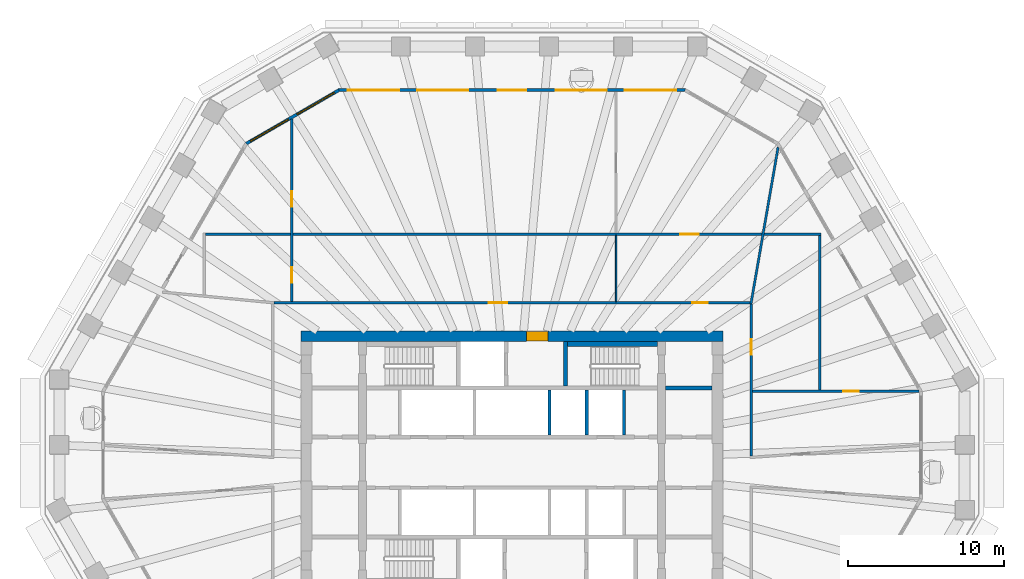
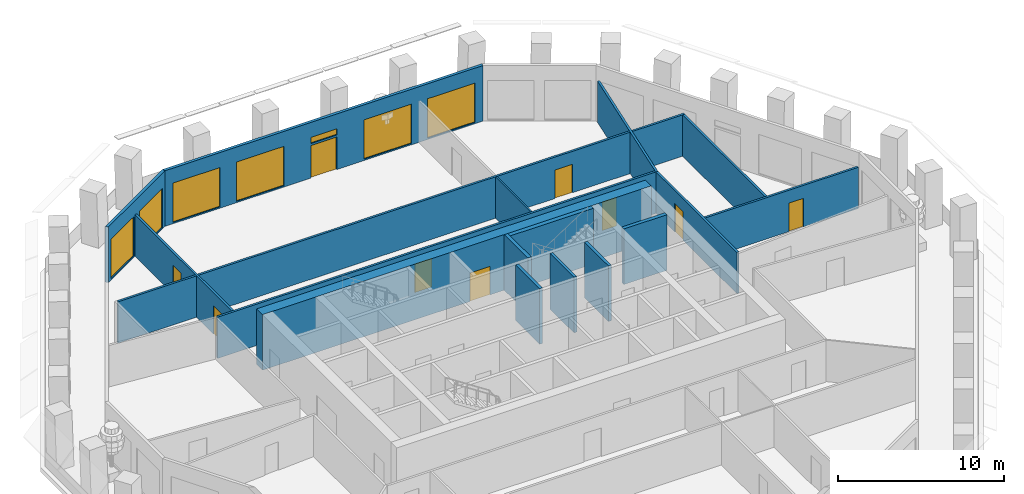
# One storey, part 7 of 12: 17 walls, 9 doors, 7 windows, 16 openings.
"""IFC4 building model written with IfcOpenShell, lengths in metres."""

import ifcopenshell
import ifcopenshell.guid

model = None  # the IFC model being written
_history = None  # IfcOwnerHistory: only IFC2X3 demands one
_inside = {}  # id of a spatial element -> (the spatial element, [elements in it])
_under = {}  # id of a project, library or spatial element -> (it, [spatial elements below it])
_declared = {}  # id of a project -> (the project, [libraries it declares])
_typed = {}  # id of a type object -> (the type object, [elements of that type])
_made_of = {}  # id of a material, layer set ... -> (it, [elements and type objects made of it])


def new_model(schema):
    """Start an empty IFC model of exactly this schema.

    Asked for "IFC4X3", IfcOpenShell would pick the latest addendum, in which some entities
    have other attributes; the version numbers below select the first issue.
    IFC2X3 requires an IfcOwnerHistory on every rooted entity: one is made here for all.
    """
    global model, _history
    if schema == "IFC4X3":
        model = ifcopenshell.file(schema_version=(4, 3, 0, 0))
    else:
        model = ifcopenshell.file(schema=schema)
    _inside.clear()
    _under.clear()
    _declared.clear()
    _typed.clear()
    _made_of.clear()
    _history = None
    if model.schema == "IFC2X3":
        org = make("IfcOrganization", Name="unknown")
        user = make(
            "IfcPersonAndOrganization",
            ThePerson=make("IfcPerson", FamilyName="unknown"),
            TheOrganization=org,
        )
        app = make(
            "IfcApplication",
            ApplicationDeveloper=org,
            Version="unknown",
            ApplicationFullName="unknown",
            ApplicationIdentifier="unknown",
        )
        _history = make(
            "IfcOwnerHistory",
            OwningUser=user,
            OwningApplication=app,
            ChangeAction="ADDED",
            CreationDate=0,
        )
    return model


def make(cls, **values):
    """One entity of the class cls with the attributes given. An attribute that is None is left unset."""
    return model.create_entity(
        cls, **{name: value for name, value in values.items() if value is not None}
    )


def rooted(cls, **values):
    """An entity with a GlobalId (a new one), such as an element, a storey or a relation."""
    return make(cls, GlobalId=ifcopenshell.guid.new(), OwnerHistory=_history, **values)


def si_unit(unit_type, name, prefix=None):
    """IfcSIUnit, for example si_unit("LENGTHUNIT", "METRE", prefix="MILLI")."""
    return make("IfcSIUnit", UnitType=unit_type, Prefix=prefix, Name=name)


def assignment(units):
    """IfcUnitAssignment: the units of a project."""
    return None if units is None else make("IfcUnitAssignment", Units=units)


def point(xyz):
    """IfcCartesianPoint."""
    return None if xyz is None else make("IfcCartesianPoint", Coordinates=xyz)


def direction(xyz):
    """IfcDirection."""
    return None if xyz is None else make("IfcDirection", DirectionRatios=xyz)


def frame(location, z_axis=None, x_axis=None):
    """IfcAxis2Placement3D, a coordinate frame: its origin and axes. An axis left out is left unset."""
    return make(
        "IfcAxis2Placement3D",
        Location=point(location),
        Axis=direction(z_axis),
        RefDirection=direction(x_axis),
    )


def frame_2d(location, x_axis=None):
    """IfcAxis2Placement2D, a coordinate frame in the plane: its origin and x axis."""
    return make(
        "IfcAxis2Placement2D", Location=point(location), RefDirection=direction(x_axis)
    )


def origin():
    """The frame at (0, 0, 0) with its axes left unset."""
    return frame((0.0, 0.0, 0.0))


def place(relative_to, where):
    """IfcLocalPlacement: puts the frame where relative to a parent placement (None: the world)."""
    return make(
        "IfcLocalPlacement", PlacementRelTo=relative_to, RelativePlacement=where
    )


def context(
    kind, dimensions, precision=None, world=None, true_north=None, identifier=None
):
    """IfcGeometricRepresentationContext, for example the 3D "Model" context."""
    return make(
        "IfcGeometricRepresentationContext",
        ContextIdentifier=identifier,
        ContextType=kind,
        CoordinateSpaceDimension=dimensions,
        Precision=precision,
        WorldCoordinateSystem=world,
        TrueNorth=true_north,
    )


def subcontext(parent, identifier, kind, view, scale=None):
    """IfcGeometricRepresentationSubContext, for example "Body" below "Model"."""
    return make(
        "IfcGeometricRepresentationSubContext",
        ContextIdentifier=identifier,
        ContextType=kind,
        ParentContext=parent,
        TargetScale=scale,
        TargetView=view,
    )


def project(units=None, contexts=None):
    """IfcProject with its units and contexts."""
    return rooted(
        "IfcProject",
        Name="project",
        RepresentationContexts=contexts,
        UnitsInContext=assignment(units),
    )


def spatial(cls, under=None, at=None, **own):
    """A site, building, storey or space (cls), placed at a placement, below another one or the project."""
    s = rooted(cls, ObjectPlacement=at, **own)
    if under is not None:
        _under.setdefault(under.id(), (under, []))[1].append(s)
    return s


def polyline(points):
    """IfcPolyline through the points."""
    return make("IfcPolyline", Points=[point(p) for p in points])


def profile(cls, at=None, kind="AREA", **sizes):
    """A parametric profile (cls). Its sizes go by their IFC names, for example OverallWidth=200.0."""
    return make(cls, ProfileType=kind, Position=at, **sizes)


def rectangle(**sizes):
    """IfcRectangleProfileDef."""
    return profile("IfcRectangleProfileDef", **sizes)


def outline(outer, holes=None, kind="AREA"):
    """IfcArbitraryClosedProfileDef: a profile drawn as a closed curve; with holes, ...WithVoids."""
    if holes is None:
        return make("IfcArbitraryClosedProfileDef", ProfileType=kind, OuterCurve=outer)
    return make(
        "IfcArbitraryProfileDefWithVoids",
        ProfileType=kind,
        OuterCurve=outer,
        InnerCurves=holes,
    )


def extrude(swept, where, along, depth):
    """IfcExtrudedAreaSolid: the profile swept, set in the frame where, extruded along a direction by depth."""
    return make(
        "IfcExtrudedAreaSolid",
        SweptArea=swept,
        Position=where,
        ExtrudedDirection=direction(along),
        Depth=depth,
    )


def shape(context_of_items, identifier, shape_type, items):
    """IfcShapeRepresentation: the items that make up one representation, for example the "Body"."""
    return make(
        "IfcShapeRepresentation",
        ContextOfItems=context_of_items,
        RepresentationIdentifier=identifier,
        RepresentationType=shape_type,
        Items=items,
    )


def material(Name=None, Category=None):
    """IfcMaterial."""
    return make("IfcMaterial", Name=Name, Category=Category)


def layer(
    of_material, thickness, ventilated=None, Name=None, Category=None, Priority=None
):
    """IfcMaterialLayer: one layer of a wall or slab, of a material (None: an air gap)."""
    return make(
        "IfcMaterialLayer",
        Material=of_material,
        LayerThickness=thickness,
        IsVentilated=ventilated,
        Name=Name,
        Category=Category,
        Priority=Priority,
    )


def layer_set(layers, Name=None):
    """IfcMaterialLayerSet."""
    return make("IfcMaterialLayerSet", MaterialLayers=layers, LayerSetName=Name)


def made_of(thing, what):
    """Note that an element or type object is made of a material, layer set ...; save() writes the relation."""
    if what is not None:
        _made_of.setdefault(what.id(), (what, []))[1].append(thing)
    return thing


def type_object(cls, material=None, **own):
    """A type object (cls), such as IfcWallType, which elements share."""
    return made_of(rooted(cls, **own), material)


def element(
    cls,
    number,
    at=None,
    inside=None,
    cuts=None,
    type_object=None,
    material=None,
    context=None,
    identifier="Body",
    shape_type=None,
    held_by="IfcProductDefinitionShape",
    body=None,
    shapes=None,
    **own,
):
    """One element of the class cls, such as IfcWall. Its Tag is "e" and its number.

    at: its placement. inside: the storey or other place that contains it. cuts: it is an
    opening in that element (IfcRelVoidsElement). A single representation is given by context,
    identifier, shape_type and body (its items); several are given by shapes. held_by: the class
    of the entity that holds the representations. save() writes the other relations.
    """
    e = rooted(cls, Tag="e%d" % number, ObjectPlacement=at, **own)
    if body is not None:
        shapes = [shape(context, identifier, shape_type, body)]
    if shapes is not None:
        e.Representation = make(held_by, Representations=shapes)
    if inside is not None:
        _inside.setdefault(inside.id(), (inside, []))[1].append(e)
    if cuts is not None:
        rooted(
            "IfcRelVoidsElement", RelatingBuildingElement=cuts, RelatedOpeningElement=e
        )
    if type_object is not None:
        _typed.setdefault(type_object.id(), (type_object, []))[1].append(e)
    return made_of(e, material)


def fill(opening, filler):
    """IfcRelFillsElement: the door or window that sits in an opening."""
    return rooted(
        "IfcRelFillsElement",
        RelatingOpeningElement=opening,
        RelatedBuildingElement=filler,
    )


def aggregate(whole, parts):
    """IfcRelAggregates: a whole, such as a stair, and the parts it consists of."""
    return rooted("IfcRelAggregates", RelatingObject=whole, RelatedObjects=parts)


def save(model, path):
    """Write the relations noted so far, then the file.

    IfcRelAggregates (storeys below a building ...), IfcRelContainedInSpatialStructure (elements
    in a storey), IfcRelDefinesByType, IfcRelAssociatesMaterial and IfcRelDeclares: one each for
    every whole, place, type object, material and project.
    """
    for whole, parts in _under.values():
        aggregate(whole, parts)
    for where, things in _inside.values():
        rooted(
            "IfcRelContainedInSpatialStructure",
            RelatedElements=things,
            RelatingStructure=where,
        )
    for kind, things in _typed.values():
        rooted("IfcRelDefinesByType", RelatedObjects=things, RelatingType=kind)
    for what, things in _made_of.values():
        rooted("IfcRelAssociatesMaterial", RelatedObjects=things, RelatingMaterial=what)
    for by, libraries in _declared.values():
        rooted("IfcRelDeclares", RelatingContext=by, RelatedDefinitions=libraries)
    model.write(path)


model = new_model("IFC4")

# Units and contexts
model_context = context("Model", 3, precision=1e-05, world=origin(), true_north=direction((0.0, 1.0)))
body_context = subcontext(model_context, "Body", "Model", "MODEL_VIEW")
ifc_project = project(units=[si_unit("LENGTHUNIT", "METRE"), si_unit("AREAUNIT", "SQUARE_METRE"), si_unit("VOLUMEUNIT", "CUBIC_METRE"), si_unit("PLANEANGLEUNIT", "RADIAN"), si_unit("MASSUNIT", "GRAM", prefix="KILO")], contexts=[model_context])

# Site, building, storey
site_placement = place(None, origin())
site = spatial("IfcSite", under=ifc_project, at=site_placement, CompositionType="ELEMENT")
building_placement = place(site_placement, origin())
building = spatial("IfcBuilding", under=site, at=building_placement, Name="Frailejon Research Tower", CompositionType="ELEMENT")
storey_placement = place(building_placement, frame((0.0, 0.0, 180.39990234375)))
storey = spatial("IfcBuildingStorey", under=building, at=storey_placement, Name="L39", CompositionType="ELEMENT", Elevation=180.39990234375)

# Wall, opening, door
ifc_material_1 = material(Name="Concrete C60/75", Category="concrete")
ifc_layer_1 = layer(ifc_material_1, 0.699951171875)
ifc_layer_set_1 = layer_set([ifc_layer_1], Name="Core shear wall 700 C60/75")
wall_type_1 = type_object("IfcWallType", Name="Core shear wall 700 C60/75", PredefinedType="SHEAR", material=ifc_layer_set_1)
wall_1_placement = place(storey_placement, frame((-13.550048828125, 8.10009765625, 0.0), z_axis=(0.0, 0.0, 1.0), x_axis=(1.0, 0.0, 0.0)))
wall_1 = element("IfcWall", 1, at=wall_1_placement, inside=storey, type_object=wall_type_1, Name="Core shear wall", PredefinedType="SHEAR", context=body_context, shape_type="SweptSolid", body=[
    extrude(rectangle(XDim=27.10009765625, YDim=0.699951171875, at=frame_2d((13.550048828125, 0.0))), origin(), (0.0, 0.0, 1.0), 4.10009765625),
])
opening_1_placement = place(wall_1_placement, frame((14.47509765625, 0.0, 0.0)))
opening_1 = element("IfcOpeningElement", 2, at=opening_1_placement, cuts=wall_1, Name="Opening D9", PredefinedType="OPENING", context=body_context, shape_type="SweptSolid", body=[
    extrude(rectangle(XDim=1.39990234375, YDim=2.10009765625, at=frame_2d((0.699951171875, 1.050048828125))), frame((0.0, 0.35986328125, 0.0), z_axis=(0.0, -1.0, 0.0), x_axis=(1.0, 0.0, 0.0)), (0.0, 0.0, 1.0), 0.719970703125),
])
ifc_material_2 = material(Name="Steel", Category="steel")
door_type_1 = type_object("IfcDoorType", Name="Goods lobby door", OperationType="DOUBLE_DOOR_SINGLE_SWING", PredefinedType="DOOR", material=ifc_material_2)
door_1_placement = place(opening_1_placement, origin())
door_1 = element("IfcDoor", 3, at=door_1_placement, inside=storey, type_object=door_type_1, Name="Goods lobby door", OperationType="DOUBLE_DOOR_SINGLE_SWING", OverallHeight=2.10009765625, OverallWidth=1.39990234375, PredefinedType="DOOR", context=body_context, shape_type="SweptSolid", body=[
    extrude(rectangle(XDim=1.39990234375, YDim=2.10009765625, at=frame_2d((0.699951171875, 1.050048828125))), frame((0.0, 0.300048828125, 0.0), z_axis=(0.0, -1.0, 0.0), x_axis=(1.0, 0.0, 0.0)), (0.0, 0.0, 1.0), 0.60009765625),
])
fill(opening_1, door_1)

ifc_material_3 = material(Name="Gypsum board and masonry partition", Category="masonry")
ifc_layer_2 = layer(ifc_material_3, 0.14990234375)
ifc_layer_set_2 = layer_set([ifc_layer_2], Name="Corridor wall EI 60, gypsum on steel studs 150")
wall_type_2 = type_object("IfcWallType", Name="Corridor wall EI 60, gypsum on steel studs 150", PredefinedType="PARTITIONING", material=ifc_layer_set_2)
wall_2_placement = place(storey_placement, frame((15.35009765625, 0.399169921875, 0.0), z_axis=(0.0, 0.0, 1.0), x_axis=(0.0, 1.0, 0.0)))
wall_2 = element("IfcWall", 4, at=wall_2_placement, inside=storey, type_object=wall_type_2, Name="T:IW:L39:002", PredefinedType="PARTITIONING", context=body_context, shape_type="SweptSolid", body=[
    extrude(rectangle(XDim=9.77587890625, YDim=0.14990234375, at=frame_2d((4.887939453125, 0.0))), origin(), (0.0, 0.0, 1.0), 3.050048828125),
])
opening_2_placement = place(wall_2_placement, frame((6.510986328125, 0.0, 0.0)))
opening_2 = element("IfcOpeningElement", 5, at=opening_2_placement, cuts=wall_2, Name="Opening D1845", PredefinedType="OPENING", context=body_context, shape_type="SweptSolid", body=[
    extrude(rectangle(XDim=1.0, YDim=2.10009765625, at=frame_2d((0.5, 1.050048828125))), frame((0.0, 0.0849609375, 0.0), z_axis=(0.0, -1.0, 0.0), x_axis=(1.0, 0.0, 0.0)), (0.0, 0.0, 1.0), 0.169921875),
])
ifc_material_4 = material(Name="Timber door leaf", Category="wood")
door_type_2 = type_object("IfcDoorType", Name="Door laboratory, timber, vision panel 1000", OperationType="NOTDEFINED", PredefinedType="DOOR", material=ifc_material_4)
door_2_placement = place(opening_2_placement, origin())
door_2 = element("IfcDoor", 6, at=door_2_placement, inside=storey, type_object=door_type_2, Name="D1845", OperationType="SINGLE_SWING_RIGHT", OverallHeight=2.10009765625, OverallWidth=1.0, PredefinedType="DOOR", context=body_context, shape_type="SweptSolid", body=[
    extrude(rectangle(XDim=1.0, YDim=2.10009765625, at=frame_2d((0.5, 1.050048828125))), frame((0.0, 0.02490234375, 0.0), z_axis=(0.0, -1.0, 0.0), x_axis=(1.0, 0.0, 0.0)), (0.0, 0.0, 1.0), 0.050048828125),
])
fill(opening_2, door_2)

# Wall, openings, doors
wall_3_placement = place(storey_placement, frame((-15.27490234375, 10.25, 0.0), z_axis=(0.0, 0.0, 1.0), x_axis=(1.0, 0.0, 0.0)))
wall_3 = element("IfcWall", 7, at=wall_3_placement, inside=storey, type_object=wall_type_2, Name="T:IW:L39:003", PredefinedType="PARTITIONING", context=body_context, shape_type="SweptSolid", body=[
    extrude(rectangle(XDim=30.5498046875, YDim=0.14990234375, at=frame_2d((15.27490234375, 0.0))), origin(), (0.0, 0.0, 1.0), 3.050048828125),
])
opening_3_placement = place(wall_3_placement, frame((26.835693359375, 0.0, 0.0)))
opening_3 = element("IfcOpeningElement", 8, at=opening_3_placement, cuts=wall_3, Name="Opening D1846", PredefinedType="OPENING", context=body_context, shape_type="SweptSolid", body=[
    extrude(rectangle(XDim=1.0, YDim=2.10009765625, at=frame_2d((0.5, 1.050048828125))), frame((0.0, 0.0849609375, 0.0), z_axis=(0.0, -1.0, 0.0), x_axis=(1.0, 0.0, 0.0)), (0.0, 0.0, 1.0), 0.169921875),
])
opening_4_placement = place(wall_3_placement, frame((13.785400390625, 0.0, 0.0)))
opening_4 = element("IfcOpeningElement", 9, at=opening_4_placement, cuts=wall_3, Name="Opening D1849", PredefinedType="OPENING", context=body_context, shape_type="SweptSolid", body=[
    extrude(rectangle(XDim=1.199951171875, YDim=2.10009765625, at=frame_2d((0.60009765625, 1.050048828125))), frame((0.0, 0.0849609375, 0.0), z_axis=(0.0, -1.0, 0.0), x_axis=(1.0, 0.0, 0.0)), (0.0, 0.0, 1.0), 0.169921875),
])
ifc_material_5 = material(Name="Timber door leaf", Category="wood")
door_type_3 = type_object("IfcDoorType", Name="Door single leaf, timber, steel frame 1000", OperationType="NOTDEFINED", PredefinedType="DOOR", material=ifc_material_5)
door_3_placement = place(opening_3_placement, origin())
door_3 = element("IfcDoor", 10, at=door_3_placement, inside=storey, type_object=door_type_3, Name="D1846", OperationType="SINGLE_SWING_LEFT", OverallHeight=2.10009765625, OverallWidth=1.0, PredefinedType="DOOR", context=body_context, shape_type="SweptSolid", body=[
    extrude(rectangle(XDim=1.0, YDim=2.10009765625, at=frame_2d((0.5, 1.050048828125))), frame((0.0, 0.02490234375, 0.0), z_axis=(0.0, -1.0, 0.0), x_axis=(1.0, 0.0, 0.0)), (0.0, 0.0, 1.0), 0.050048828125),
])
fill(opening_3, door_3)
ifc_material_6 = material(Name="Timber door leaf", Category="wood")
door_type_4 = type_object("IfcDoorType", Name="Door single leaf, timber, steel frame 1200", OperationType="NOTDEFINED", PredefinedType="DOOR", material=ifc_material_6)
door_4_placement = place(opening_4_placement, origin())
door_4 = element("IfcDoor", 11, at=door_4_placement, inside=storey, type_object=door_type_4, Name="D1849", OperationType="DOUBLE_DOOR_SINGLE_SWING", OverallHeight=2.10009765625, OverallWidth=1.199951171875, PredefinedType="DOOR", context=body_context, shape_type="SweptSolid", body=[
    extrude(rectangle(XDim=1.199951171875, YDim=2.10009765625, at=frame_2d((0.60009765625, 1.050048828125))), frame((0.0, 0.02490234375, 0.0), z_axis=(0.0, -1.0, 0.0), x_axis=(1.0, 0.0, 0.0)), (0.0, 0.0, 1.0), 0.050048828125),
])
fill(opening_4, door_4)

# Wall, opening, door
ifc_material_7 = material(Name="Gypsum board and masonry partition", Category="masonry")
ifc_layer_3 = layer(ifc_material_7, 0.14990234375)
ifc_layer_set_3 = layer_set([ifc_layer_3], Name="Laboratory partition, blockwork 150")
wall_type_3 = type_object("IfcWallType", Name="Laboratory partition, blockwork 150", PredefinedType="PARTITIONING", material=ifc_layer_set_3)
wall_4_placement = place(storey_placement, frame((15.425048828125, 4.5703125, 0.0), z_axis=(0.0, 0.0, 1.0), x_axis=(1.0, 0.0, 0.0)))
wall_4 = element("IfcWall", 12, at=wall_4_placement, inside=storey, type_object=wall_type_3, Name="T:IW:L39:011", PredefinedType="PARTITIONING", context=body_context, shape_type="SweptSolid", body=[
    extrude(rectangle(XDim=10.695556640625, YDim=0.14990234375, at=frame_2d((5.34765625, 0.0))), origin(), (0.0, 0.0, 1.0), 3.050048828125),
])
opening_5_placement = place(wall_4_placement, frame((5.842529296875, 0.0, 0.0)))
opening_5 = element("IfcOpeningElement", 13, at=opening_5_placement, cuts=wall_4, Name="Opening D1844", PredefinedType="OPENING", context=body_context, shape_type="SweptSolid", body=[
    extrude(rectangle(XDim=1.0, YDim=2.10009765625, at=frame_2d((0.5, 1.050048828125))), frame((0.0, 0.0849609375, 0.0), z_axis=(0.0, -1.0, 0.0), x_axis=(1.0, 0.0, 0.0)), (0.0, 0.0, 1.0), 0.169921875),
])
door_5_placement = place(opening_5_placement, origin())
door_5 = element("IfcDoor", 14, at=door_5_placement, inside=storey, type_object=door_type_3, Name="D1844", OperationType="SINGLE_SWING_RIGHT", OverallHeight=2.10009765625, OverallWidth=1.0, PredefinedType="DOOR", context=body_context, shape_type="SweptSolid", body=[
    extrude(rectangle(XDim=1.0, YDim=2.10009765625, at=frame_2d((0.5, 1.050048828125))), frame((0.0, 0.02490234375, 0.0), z_axis=(0.0, -1.0, 0.0), x_axis=(1.0, 0.0, 0.0)), (0.0, 0.0, 1.0), 0.050048828125),
])
fill(opening_5, door_5)

# Wall
wall_5_placement = place(storey_placement, frame((19.75, 4.645263671875, 0.0), z_axis=(0.0, 0.0, 1.0), x_axis=(0.0, 1.0, 0.0)))
element("IfcWall", 15, at=wall_5_placement, inside=storey, type_object=wall_type_3, Name="T:IW:L39:012", PredefinedType="PARTITIONING", context=body_context, shape_type="SweptSolid", body=[
    extrude(rectangle(XDim=9.9296875, YDim=0.14990234375, at=frame_2d((4.96484375, 0.0))), origin(), (0.0, 0.0, 1.0), 3.050048828125),
])

# Wall, opening, door
wall_6_placement = place(storey_placement, frame((-19.675048828125, 14.64990234375, 0.0), z_axis=(0.0, 0.0, 1.0), x_axis=(1.0, 0.0, 0.0)))
wall_6 = element("IfcWall", 16, at=wall_6_placement, inside=storey, type_object=wall_type_3, Name="T:IW:L39:013", PredefinedType="PARTITIONING", context=body_context, shape_type="SweptSolid", body=[
    extrude(rectangle(XDim=39.5, YDim=0.14990234375, at=frame_2d((19.75, 0.0))), origin(), (0.0, 0.0, 1.0), 3.050048828125),
])
opening_6_placement = place(wall_6_placement, frame((30.4716796875, 0.0, 0.0)))
opening_6 = element("IfcOpeningElement", 17, at=opening_6_placement, cuts=wall_6, Name="Opening D1847", PredefinedType="OPENING", context=body_context, shape_type="SweptSolid", body=[
    extrude(rectangle(XDim=1.199951171875, YDim=2.10009765625, at=frame_2d((0.60009765625, 1.050048828125))), frame((0.0, 0.0849609375, 0.0), z_axis=(0.0, -1.0, 0.0), x_axis=(1.0, 0.0, 0.0)), (0.0, 0.0, 1.0), 0.169921875),
])
ifc_material_8 = material(Name="Timber door leaf", Category="wood")
door_type_5 = type_object("IfcDoorType", Name="Door laboratory, timber, vision panel 1200", OperationType="NOTDEFINED", PredefinedType="DOOR", material=ifc_material_8)
door_6_placement = place(opening_6_placement, origin())
door_6 = element("IfcDoor", 18, at=door_6_placement, inside=storey, type_object=door_type_5, Name="D1847", OperationType="DOUBLE_DOOR_SINGLE_SWING", OverallHeight=2.10009765625, OverallWidth=1.199951171875, PredefinedType="DOOR", context=body_context, shape_type="SweptSolid", body=[
    extrude(rectangle(XDim=1.199951171875, YDim=2.10009765625, at=frame_2d((0.60009765625, 1.050048828125))), frame((0.0, 0.02490234375, 0.0), z_axis=(0.0, -1.0, 0.0), x_axis=(1.0, 0.0, 0.0)), (0.0, 0.0, 1.0), 0.050048828125),
])
fill(opening_6, door_6)

# Wall
wall_7_placement = place(storey_placement, frame((15.337158203125, 10.176025390625, 0.0), z_axis=(0.0, 0.0, 1.0), x_axis=(0.170860446067, 0.985295238987, 0.0)))
element("IfcWall", 19, at=wall_7_placement, inside=storey, type_object=wall_type_3, Name="T:IW:L39:014", PredefinedType="PARTITIONING", context=body_context, shape_type="SweptSolid", body=[
    extrude(rectangle(XDim=10.2021484375, YDim=0.14990234375, at=frame_2d((5.10107421875, 0.0))), origin(), (0.0, 0.0, 1.0), 3.050048828125),
])

# Wall, openings, doors
wall_8_placement = place(storey_placement, frame((-14.1337890625, 10.324951171875, 0.0), z_axis=(0.0, 0.0, 1.0), x_axis=(0.0, 1.0, 0.0)))
wall_8 = element("IfcWall", 20, at=wall_8_placement, inside=storey, type_object=wall_type_3, Name="T:IW:L39:016", PredefinedType="PARTITIONING", context=body_context, shape_type="SweptSolid", body=[
    extrude(rectangle(XDim=11.712158203125, YDim=0.14990234375, at=frame_2d((5.85595703125, 0.0))), origin(), (0.0, 0.0, 1.0), 3.050048828125),
])
opening_7_placement = place(wall_8_placement, frame((6.0966796875, 0.0, 0.0)))
opening_7 = element("IfcOpeningElement", 21, at=opening_7_placement, cuts=wall_8, Name="Opening D1850", PredefinedType="OPENING", context=body_context, shape_type="SweptSolid", body=[
    extrude(rectangle(XDim=1.0, YDim=2.10009765625, at=frame_2d((0.5, 1.050048828125))), frame((0.0, 0.0849609375, 0.0), z_axis=(0.0, -1.0, 0.0), x_axis=(1.0, 0.0, 0.0)), (0.0, 0.0, 1.0), 0.169921875),
])
opening_8_placement = place(wall_8_placement, frame((1.219970703125, 0.0, 0.0)))
opening_8 = element("IfcOpeningElement", 22, at=opening_8_placement, cuts=wall_8, Name="Opening D1851", PredefinedType="OPENING", context=body_context, shape_type="SweptSolid", body=[
    extrude(rectangle(XDim=1.0, YDim=2.10009765625, at=frame_2d((0.5, 1.050048828125))), frame((0.0, 0.0849609375, 0.0), z_axis=(0.0, -1.0, 0.0), x_axis=(1.0, 0.0, 0.0)), (0.0, 0.0, 1.0), 0.169921875),
])
door_7_placement = place(opening_7_placement, origin())
door_7 = element("IfcDoor", 23, at=door_7_placement, inside=storey, type_object=door_type_2, Name="D1850", OperationType="SINGLE_SWING_RIGHT", OverallHeight=2.10009765625, OverallWidth=1.0, PredefinedType="DOOR", context=body_context, shape_type="SweptSolid", body=[
    extrude(rectangle(XDim=1.0, YDim=2.10009765625, at=frame_2d((0.5, 1.050048828125))), frame((0.0, 0.02490234375, 0.0), z_axis=(0.0, -1.0, 0.0), x_axis=(1.0, 0.0, 0.0)), (0.0, 0.0, 1.0), 0.050048828125),
])
fill(opening_7, door_7)
door_8_placement = place(opening_8_placement, origin())
door_8 = element("IfcDoor", 24, at=door_8_placement, inside=storey, type_object=door_type_2, Name="D1851", OperationType="SINGLE_SWING_RIGHT", OverallHeight=2.10009765625, OverallWidth=1.0, PredefinedType="DOOR", context=body_context, shape_type="SweptSolid", body=[
    extrude(rectangle(XDim=1.0, YDim=2.10009765625, at=frame_2d((0.5, 1.050048828125))), frame((0.0, 0.02490234375, 0.0), z_axis=(0.0, -1.0, 0.0), x_axis=(1.0, 0.0, 0.0)), (0.0, 0.0, 1.0), 0.050048828125),
])
fill(opening_8, door_8)

# Walls
ifc_material_9 = material(Name="Gypsum board and masonry partition", Category="masonry")
ifc_layer_4 = layer(ifc_material_9, 0.10009765625)
ifc_layer_set_4 = layer_set([ifc_layer_4], Name="Partition, gypsum on steel studs 100")
wall_type_4 = type_object("IfcWallType", Name="Partition, gypsum on steel studs 100", PredefinedType="PARTITIONING", material=ifc_layer_set_4)
wall_9_placement = place(storey_placement, frame((6.68017578125, 10.324951171875, 0.0), z_axis=(0.0, 0.0, 1.0), x_axis=(0.0, 1.0, 0.0)))
element("IfcWall", 25, at=wall_9_placement, inside=storey, type_object=wall_type_4, Name="T:IW:L39:025", PredefinedType="PARTITIONING", context=body_context, shape_type="SweptSolid", body=[
    extrude(rectangle(XDim=4.25, YDim=0.10009765625, at=frame_2d((2.125, 0.0))), origin(), (0.0, 0.0, 1.0), 3.050048828125),
])
ifc_material_10 = material(Name="Concrete C60/75", Category="concrete")
ifc_layer_5 = layer(ifc_material_10, 0.199951171875)
ifc_layer_set_5 = layer_set([ifc_layer_5], Name="Shaft wall 200 C60/75")
wall_type_5 = type_object("IfcWallType", Name="Shaft wall 200 C60/75", PredefinedType="SOLIDWALL", material=ifc_layer_set_5)
for number, where, z_axis, x_axis, name in (
    (26, (2.39990234375, 1.75, 0.0), (0.0, 0.0, 1.0), (0.0, 1.0, 0.0), "Shaft wall"),
    (27, (4.800048828125, 1.75, 0.0), (0.0, 0.0, 1.0), (0.0, 1.0, 0.0), "Shaft wall"),
    (28, (7.199951171875, 1.75, 0.0), (0.0, 0.0, 1.0), (0.0, 1.0, 0.0), "Shaft wall"),
):
    element("IfcWall", number, at=place(storey_placement, frame(where, z_axis=z_axis, x_axis=x_axis)), inside=storey, type_object=wall_type_5, Name=name, PredefinedType="SOLIDWALL", context=body_context, shape_type="SweptSolid", body=[
        extrude(rectangle(XDim=2.89990234375, YDim=0.199951171875, at=frame_2d((1.449951171875, 0.0))), origin(), (0.0, 0.0, 1.0), 4.10009765625),
    ])
ifc_material_11 = material(Name="Concrete C60/75", Category="concrete")
ifc_layer_6 = layer(ifc_material_11, 0.25)
ifc_layer_set_6 = layer_set([ifc_layer_6], Name="Shaft wall 250 C60/75")
wall_type_6 = type_object("IfcWallType", Name="Shaft wall 250 C60/75", PredefinedType="SOLIDWALL", material=ifc_layer_set_6)
wall_10_placement = place(storey_placement, frame((9.85009765625, 4.77490234375, 0.0), z_axis=(0.0, 0.0, 1.0), x_axis=(1.0, 0.0, 0.0)))
element("IfcWall", 29, at=wall_10_placement, inside=storey, type_object=wall_type_6, Name="Shaft wall", PredefinedType="SOLIDWALL", context=body_context, shape_type="SweptSolid", body=[
    extrude(rectangle(XDim=3.0, YDim=0.25, at=frame_2d((1.5, 0.0))), origin(), (0.0, 0.0, 1.0), 4.10009765625),
])
wall_11_placement = place(storey_placement, frame((3.425048828125, 4.89990234375, 0.0), z_axis=(0.0, 0.0, 1.0), x_axis=(0.0, 1.0, 0.0)))
element("IfcWall", 30, at=wall_11_placement, inside=storey, type_object=wall_type_6, Name="Shaft wall", PredefinedType="SOLIDWALL", context=body_context, shape_type="SweptSolid", body=[
    extrude(rectangle(XDim=2.85009765625, YDim=0.25, at=frame_2d((1.425048828125, 0.0))), origin(), (0.0, 0.0, 1.0), 4.10009765625),
])
ifc_material_12 = material(Name="Concrete C60/75", Category="concrete")
ifc_layer_7 = layer(ifc_material_12, 0.300048828125)
ifc_layer_set_7 = layer_set([ifc_layer_7], Name="Shaft wall 300 C60/75")
wall_type_7 = type_object("IfcWallType", Name="Shaft wall 300 C60/75", PredefinedType="SOLIDWALL", material=ifc_layer_set_7)
wall_12_placement = place(storey_placement, frame((3.550048828125, 7.60009765625, 0.0), z_axis=(0.0, 0.0, 1.0), x_axis=(1.0, 0.0, 0.0)))
element("IfcWall", 31, at=wall_12_placement, inside=storey, type_object=wall_type_7, Name="Shaft wall", PredefinedType="SOLIDWALL", context=body_context, shape_type="SweptSolid", body=[
    extrude(rectangle(XDim=5.800048828125, YDim=0.300048828125, at=frame_2d((2.89990234375, 0.0))), origin(), (0.0, 0.0, 1.0), 4.10009765625),
])

# Wall, openings, door, windows
ifc_material_13 = material(Name="Concrete C40/50 precast window wall panel", Category="concrete")
ifc_layer_8 = layer(ifc_material_13, 0.199951171875)
ifc_layer_set_8 = layer_set([ifc_layer_8], Name="Window wall 200")
wall_type_8 = type_object("IfcWallType", Name="Window wall 200", PredefinedType="SOLIDWALL", material=ifc_layer_set_8)
wall_13_placement = place(storey_placement, frame((11.10693359375, 23.89990234375, 0.0), z_axis=(0.0, 0.0, 1.0), x_axis=(-1.0, 0.0, 0.0)))
wall_13 = element("IfcWall", 32, at=wall_13_placement, inside=storey, type_object=wall_type_8, Name="Exterior wall L39", PredefinedType="SOLIDWALL", context=body_context, shape_type="SweptSolid", body=[
    extrude(outline(polyline([(-0.02685546875, -0.10009765625), (0.9853515625, -0.10009765625), (1.99755859375, -0.10009765625), (3.009521484375, -0.10009765625), (4.021728515625, -0.10009765625), (5.033935546875, -0.10009765625), (6.046142578125, -0.10009765625), (7.058349609375, -0.10009765625), (8.070556640625, -0.10009765625), (9.08251953125, -0.10009765625), (10.0947265625, -0.10009765625), (11.10693359375, -0.10009765625), (12.119140625, -0.10009765625), (13.13134765625, -0.10009765625), (14.143310546875, -0.10009765625), (15.155517578125, -0.10009765625), (16.167724609375, -0.10009765625), (17.179931640625, -0.10009765625), (18.192138671875, -0.10009765625), (19.204345703125, -0.10009765625), (20.21630859375, -0.10009765625), (21.228515625, -0.10009765625), (22.24072265625, -0.10009765625), (22.18701171875, 0.10009765625), (21.1796875, 0.10009765625), (20.17236328125, 0.10009765625), (19.165283203125, 0.10009765625), (18.157958984375, 0.10009765625), (17.150634765625, 0.10009765625), (16.143310546875, 0.10009765625), (15.135986328125, 0.10009765625), (14.128662109375, 0.10009765625), (13.12158203125, 0.10009765625), (12.1142578125, 0.10009765625), (11.10693359375, 0.10009765625), (10.099609375, 0.10009765625), (9.09228515625, 0.10009765625), (8.085205078125, 0.10009765625), (7.077880859375, 0.10009765625), (6.070556640625, 0.10009765625), (5.063232421875, 0.10009765625), (4.055908203125, 0.10009765625), (3.048583984375, 0.10009765625), (2.04150390625, 0.10009765625), (1.0341796875, 0.10009765625), (0.02685546875, 0.10009765625), (-0.02685546875, -0.10009765625)])), origin(), (0.0, 0.0, 1.0), 4.10009765625),
])
opening_9_placement = place(wall_13_placement, frame((0.5712890625, 0.0, 0.10009765625)))
opening_9 = element("IfcOpeningElement", 33, at=opening_9_placement, cuts=wall_13, Name="Opening W5", PredefinedType="OPENING", context=body_context, shape_type="SweptSolid", body=[
    extrude(rectangle(XDim=3.300048828125, YDim=2.89990234375, at=frame_2d((1.64990234375, 1.449951171875))), frame((0.0, 0.10986328125, 0.0), z_axis=(0.0, -1.0, 0.0), x_axis=(1.0, 0.0, 0.0)), (0.0, 0.0, 1.0), 0.219970703125),
])
opening_10_placement = place(wall_13_placement, frame((5.01416015625, 0.0, 0.10009765625)))
opening_10 = element("IfcOpeningElement", 34, at=opening_10_placement, cuts=wall_13, Name="Opening W5", PredefinedType="OPENING", context=body_context, shape_type="SweptSolid", body=[
    extrude(rectangle(XDim=3.300048828125, YDim=2.89990234375, at=frame_2d((1.64990234375, 1.449951171875))), frame((0.0, 0.10986328125, 0.0), z_axis=(0.0, -1.0, 0.0), x_axis=(1.0, 0.0, 0.0)), (0.0, 0.0, 1.0), 0.219970703125),
])
opening_11_placement = place(wall_13_placement, frame((10.206787109375, 0.0, 0.0)))
opening_11 = element("IfcOpeningElement", 35, at=opening_11_placement, cuts=wall_13, Name="Opening LG39-2", PredefinedType="OPENING", context=body_context, shape_type="SweptSolid", body=[
    extrude(rectangle(XDim=1.800048828125, YDim=2.39990234375, at=frame_2d((0.89990234375, 1.199951171875))), frame((0.0, 0.10986328125, 0.0), z_axis=(0.0, -1.0, 0.0), x_axis=(1.0, 0.0, 0.0)), (0.0, 0.0, 1.0), 0.219970703125),
])
opening_12_placement = place(wall_13_placement, frame((10.206787109375, 0.0, 2.550048828125)))
opening_12 = element("IfcOpeningElement", 36, at=opening_12_placement, cuts=wall_13, Name="Opening W1", PredefinedType="OPENING", context=body_context, shape_type="SweptSolid", body=[
    extrude(rectangle(XDim=1.800048828125, YDim=0.449951171875, at=frame_2d((0.89990234375, 0.22509765625))), frame((0.0, 0.10986328125, 0.0), z_axis=(0.0, -1.0, 0.0), x_axis=(1.0, 0.0, 0.0)), (0.0, 0.0, 1.0), 0.219970703125),
])
opening_13_placement = place(wall_13_placement, frame((13.899658203125, 0.0, 0.10009765625)))
opening_13 = element("IfcOpeningElement", 37, at=opening_13_placement, cuts=wall_13, Name="Opening W5", PredefinedType="OPENING", context=body_context, shape_type="SweptSolid", body=[
    extrude(rectangle(XDim=3.300048828125, YDim=2.89990234375, at=frame_2d((1.64990234375, 1.449951171875))), frame((0.0, 0.10986328125, 0.0), z_axis=(0.0, -1.0, 0.0), x_axis=(1.0, 0.0, 0.0)), (0.0, 0.0, 1.0), 0.219970703125),
])
opening_14_placement = place(wall_13_placement, frame((18.342529296875, 0.0, 0.10009765625)))
opening_14 = element("IfcOpeningElement", 38, at=opening_14_placement, cuts=wall_13, Name="Opening W5", PredefinedType="OPENING", context=body_context, shape_type="SweptSolid", body=[
    extrude(rectangle(XDim=3.300048828125, YDim=2.89990234375, at=frame_2d((1.64990234375, 1.449951171875))), frame((0.0, 0.10986328125, 0.0), z_axis=(0.0, -1.0, 0.0), x_axis=(1.0, 0.0, 0.0)), (0.0, 0.0, 1.0), 0.219970703125),
])
ifc_material_14 = material(Name="Aluminium framed glazed door leaf", Category="aluminium")
door_type_6 = type_object("IfcDoorType", Name="Loggia door 1800x2400", OperationType="DOUBLE_DOOR_SINGLE_SWING", PredefinedType="DOOR", material=ifc_material_14)
door_9_placement = place(opening_11_placement, origin())
door_9 = element("IfcDoor", 39, at=door_9_placement, inside=storey, type_object=door_type_6, Name="Door LG39-2", OperationType="DOUBLE_DOOR_SINGLE_SWING", OverallHeight=2.39990234375, OverallWidth=1.800048828125, PredefinedType="DOOR", context=body_context, shape_type="SweptSolid", body=[
    extrude(rectangle(XDim=1.800048828125, YDim=2.39990234375, at=frame_2d((0.89990234375, 1.199951171875))), frame((0.0, 0.02490234375, 0.0), z_axis=(0.0, -1.0, 0.0), x_axis=(1.0, 0.0, 0.0)), (0.0, 0.0, 1.0), 0.050048828125),
])
fill(opening_11, door_9)
ifc_material_15 = material(Name="Aluminium framed double glazing", Category="aluminium")
window_type_1 = type_object("IfcWindowType", Name="Window 1800x450", PartitioningType="SINGLE_PANEL", PredefinedType="WINDOW", material=ifc_material_15)
window_1_placement = place(opening_12_placement, origin())
window_1 = element("IfcWindow", 40, at=window_1_placement, inside=storey, type_object=window_type_1, Name="Window L39", OverallHeight=0.449951171875, OverallWidth=1.800048828125, PartitioningType="SINGLE_PANEL", PredefinedType="WINDOW", context=body_context, shape_type="SweptSolid", body=[
    extrude(rectangle(XDim=1.800048828125, YDim=0.449951171875, at=frame_2d((0.89990234375, 0.22509765625))), frame((0.0, 0.030029296875, 0.0), z_axis=(0.0, -1.0, 0.0), x_axis=(1.0, 0.0, 0.0)), (0.0, 0.0, 1.0), 0.06005859375),
])
fill(opening_12, window_1)
ifc_material_16 = material(Name="Aluminium framed double glazing", Category="aluminium")
window_type_2 = type_object("IfcWindowType", Name="Window 3300x2900", PartitioningType="SINGLE_PANEL", PredefinedType="WINDOW", material=ifc_material_16)
window_2_placement = place(opening_9_placement, origin())
window_2 = element("IfcWindow", 41, at=window_2_placement, inside=storey, type_object=window_type_2, Name="Window L39", OverallHeight=2.89990234375, OverallWidth=3.300048828125, PartitioningType="SINGLE_PANEL", PredefinedType="WINDOW", context=body_context, shape_type="SweptSolid", body=[
    extrude(rectangle(XDim=3.300048828125, YDim=2.89990234375, at=frame_2d((1.64990234375, 1.449951171875))), frame((0.0, 0.030029296875, 0.0), z_axis=(0.0, -1.0, 0.0), x_axis=(1.0, 0.0, 0.0)), (0.0, 0.0, 1.0), 0.06005859375),
])
fill(opening_9, window_2)
window_3_placement = place(opening_10_placement, origin())
window_3 = element("IfcWindow", 42, at=window_3_placement, inside=storey, type_object=window_type_2, Name="Window L39", OverallHeight=2.89990234375, OverallWidth=3.300048828125, PartitioningType="SINGLE_PANEL", PredefinedType="WINDOW", context=body_context, shape_type="SweptSolid", body=[
    extrude(rectangle(XDim=3.300048828125, YDim=2.89990234375, at=frame_2d((1.64990234375, 1.449951171875))), frame((0.0, 0.030029296875, 0.0), z_axis=(0.0, -1.0, 0.0), x_axis=(1.0, 0.0, 0.0)), (0.0, 0.0, 1.0), 0.06005859375),
])
fill(opening_10, window_3)
window_4_placement = place(opening_13_placement, origin())
window_4 = element("IfcWindow", 43, at=window_4_placement, inside=storey, type_object=window_type_2, Name="Window L39", OverallHeight=2.89990234375, OverallWidth=3.300048828125, PartitioningType="SINGLE_PANEL", PredefinedType="WINDOW", context=body_context, shape_type="SweptSolid", body=[
    extrude(rectangle(XDim=3.300048828125, YDim=2.89990234375, at=frame_2d((1.64990234375, 1.449951171875))), frame((0.0, 0.030029296875, 0.0), z_axis=(0.0, -1.0, 0.0), x_axis=(1.0, 0.0, 0.0)), (0.0, 0.0, 1.0), 0.06005859375),
])
fill(opening_13, window_4)
window_5_placement = place(opening_14_placement, origin())
window_5 = element("IfcWindow", 44, at=window_5_placement, inside=storey, type_object=window_type_2, Name="Window L39", OverallHeight=2.89990234375, OverallWidth=3.300048828125, PartitioningType="SINGLE_PANEL", PredefinedType="WINDOW", context=body_context, shape_type="SweptSolid", body=[
    extrude(rectangle(XDim=3.300048828125, YDim=2.89990234375, at=frame_2d((1.64990234375, 1.449951171875))), frame((0.0, 0.030029296875, 0.0), z_axis=(0.0, -1.0, 0.0), x_axis=(1.0, 0.0, 0.0)), (0.0, 0.0, 1.0), 0.06005859375),
])
fill(opening_14, window_5)

# Wall, openings, windows
wall_14_placement = place(storey_placement, frame((-11.10693359375, 23.89990234375, 0.0), z_axis=(0.0, 0.0, 1.0), x_axis=(-0.866029458321, -0.49999297727, 0.0)))
wall_14 = element("IfcWall", 45, at=wall_14_placement, inside=storey, type_object=wall_type_8, Name="Exterior wall L39", PredefinedType="SOLIDWALL", context=body_context, shape_type="SweptSolid", body=[
    extrude(outline(polyline([(-0.02685546875, -0.10009765625), (1.1279296875, -0.10009765625), (2.282470703125, -0.10009765625), (3.437255859375, -0.10009765625), (4.592041015625, -0.10009765625), (5.74658203125, -0.10009765625), (6.9013671875, -0.10009765625), (6.84765625, 0.10009765625), (5.7109375, 0.10009765625), (4.573974609375, 0.10009765625), (3.437255859375, 0.10009765625), (2.300537109375, 0.10009765625), (1.16357421875, 0.10009765625), (0.02685546875, 0.10009765625), (-0.02685546875, -0.10009765625)])), origin(), (0.0, 0.0, 1.0), 4.10009765625),
])
opening_15_placement = place(wall_14_placement, frame((0.318603515625, 0.0, 0.10009765625)))
opening_15 = element("IfcOpeningElement", 46, at=opening_15_placement, cuts=wall_14, Name="Opening W3", PredefinedType="OPENING", context=body_context, shape_type="SweptSolid", body=[
    extrude(rectangle(XDim=2.800048828125, YDim=2.89990234375, at=frame_2d((1.39990234375, 1.449951171875))), frame((0.0, 0.10986328125, 0.0), z_axis=(0.0, -1.0, 0.0), x_axis=(1.0, 0.0, 0.0)), (0.0, 0.0, 1.0), 0.219970703125),
])
opening_16_placement = place(wall_14_placement, frame((3.756103515625, 0.0, 0.10009765625)))
opening_16 = element("IfcOpeningElement", 47, at=opening_16_placement, cuts=wall_14, Name="Opening W3", PredefinedType="OPENING", context=body_context, shape_type="SweptSolid", body=[
    extrude(rectangle(XDim=2.800048828125, YDim=2.89990234375, at=frame_2d((1.39990234375, 1.449951171875))), frame((0.0, 0.10986328125, 0.0), z_axis=(0.0, -1.0, 0.0), x_axis=(1.0, 0.0, 0.0)), (0.0, 0.0, 1.0), 0.219970703125),
])
ifc_material_17 = material(Name="Aluminium framed double glazing", Category="aluminium")
window_type_3 = type_object("IfcWindowType", Name="Window 2800x2900", PartitioningType="SINGLE_PANEL", PredefinedType="WINDOW", material=ifc_material_17)
window_6_placement = place(opening_15_placement, origin())
window_6 = element("IfcWindow", 48, at=window_6_placement, inside=storey, type_object=window_type_3, Name="Window L39", OverallHeight=2.89990234375, OverallWidth=2.800048828125, PartitioningType="SINGLE_PANEL", PredefinedType="WINDOW", context=body_context, shape_type="SweptSolid", body=[
    extrude(rectangle(XDim=2.800048828125, YDim=2.89990234375, at=frame_2d((1.39990234375, 1.449951171875))), frame((0.0, 0.030029296875, 0.0), z_axis=(0.0, -1.0, 0.0), x_axis=(1.0, 0.0, 0.0)), (0.0, 0.0, 1.0), 0.06005859375),
])
fill(opening_15, window_6)
window_7_placement = place(opening_16_placement, origin())
window_7 = element("IfcWindow", 49, at=window_7_placement, inside=storey, type_object=window_type_3, Name="Window L39", OverallHeight=2.89990234375, OverallWidth=2.800048828125, PartitioningType="SINGLE_PANEL", PredefinedType="WINDOW", context=body_context, shape_type="SweptSolid", body=[
    extrude(rectangle(XDim=2.800048828125, YDim=2.89990234375, at=frame_2d((1.39990234375, 1.449951171875))), frame((0.0, 0.030029296875, 0.0), z_axis=(0.0, -1.0, 0.0), x_axis=(1.0, 0.0, 0.0)), (0.0, 0.0, 1.0), 0.06005859375),
])
fill(opening_16, window_7)

save(model, "model.ifc")
